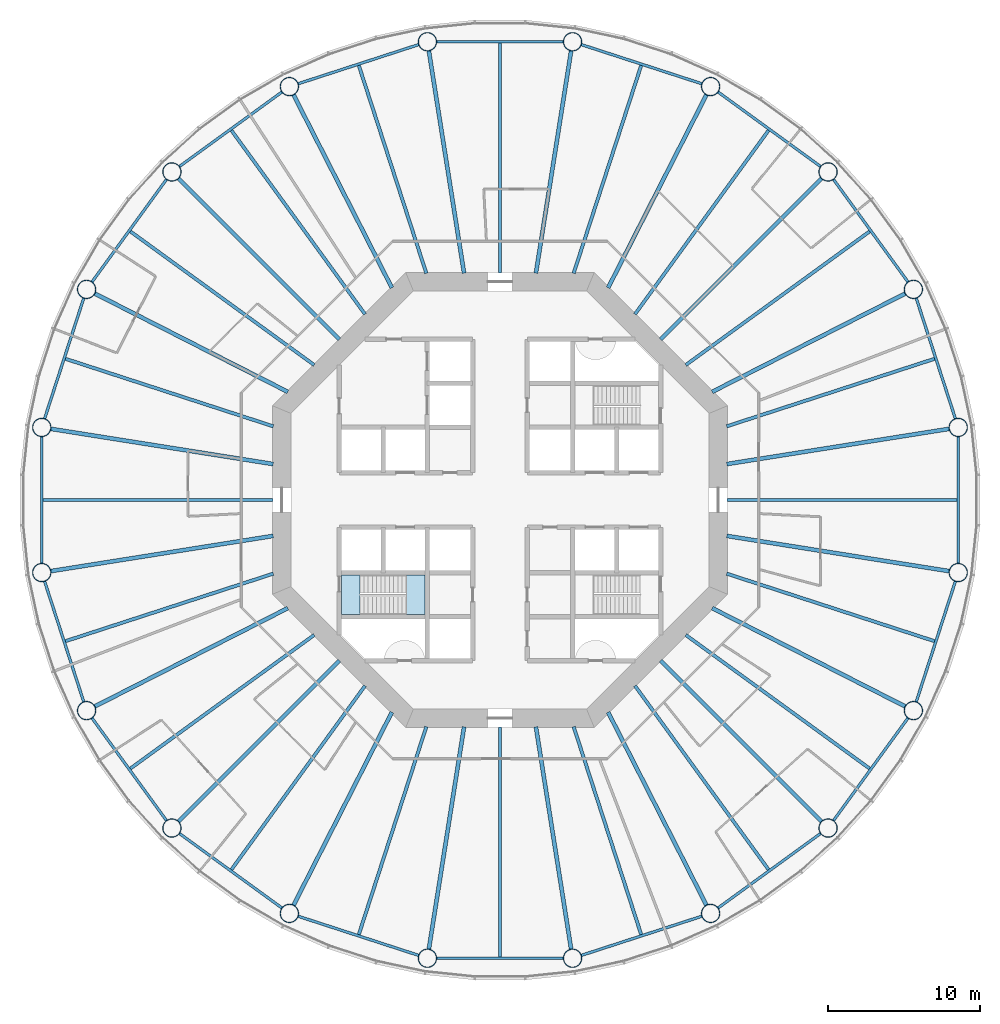
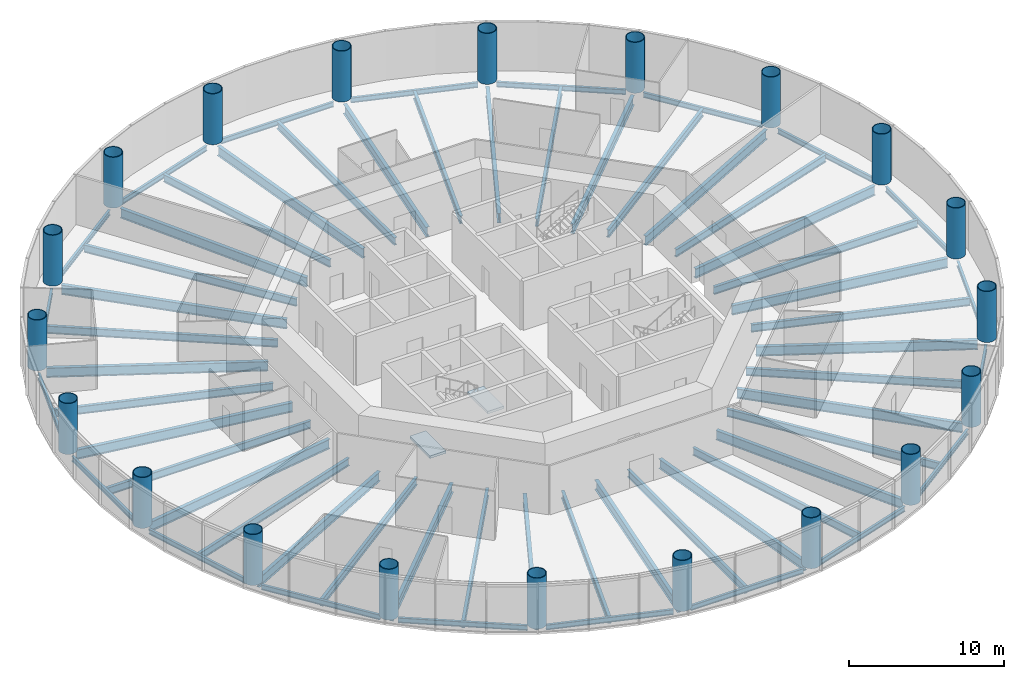
# One storey, part 1 of 13: 60 beams, 20 columns, 2 slabs, 1 element without a shape of its own.
"""IFC4 building model written with IfcOpenShell, lengths in metres."""

from ifc_helpers import new_model, si_unit, direction, frame, origin, origin_2d, place, context, subcontext, project, spatial, polyline, circle, hollow_circle, i_section, outline, extrude, material, layer, layer_set, material_profile, profile_set, type_object, element, aggregate, save


model = new_model("IFC4")

# Units and contexts
model_context = context("Model", 3, precision=1e-05, world=origin(), true_north=direction((0.0, 1.0)))
body_context = subcontext(model_context, "Body", "Model", "MODEL_VIEW")
ifc_project = project(units=[si_unit("LENGTHUNIT", "METRE"), si_unit("AREAUNIT", "SQUARE_METRE"), si_unit("VOLUMEUNIT", "CUBIC_METRE"), si_unit("PLANEANGLEUNIT", "RADIAN"), si_unit("MASSUNIT", "GRAM", prefix="KILO")], contexts=[model_context])

# Site, building, storey
site_placement = place(None, origin())
site = spatial("IfcSite", under=ifc_project, at=site_placement, CompositionType="ELEMENT")
building_placement = place(site_placement, origin())
building = spatial("IfcBuilding", under=site, at=building_placement, Name="Entoto Ring Tower", CompositionType="ELEMENT")
storey_placement = place(building_placement, frame((0.0, 0.0, 104.0)))
storey = spatial("IfcBuildingStorey", under=building, at=storey_placement, Name="L23", CompositionType="ELEMENT", Elevation=104.0)

# Columns
ifc_material_1 = material(Name="Steel S355", Category="steel")
ifc_material_profile_1 = material_profile(ifc_material_1, hollow_circle(Radius=0.625, WallThickness=0.054931640625, at=origin_2d()), Name="CHS 1250 x 55")
ifc_material_2 = material(Name="Concrete C60/75", Category="concrete")
ifc_material_profile_2 = material_profile(ifc_material_2, circle(Radius=0.570068359375, at=origin_2d()), Name="Concrete C60/75 infill")
ifc_profile_set_1 = profile_set([ifc_material_profile_1, ifc_material_profile_2], Name="Steel S355")
column_type = type_object("IfcColumnType", Name="Ring column 1250 x 55 concrete-filled tube", PredefinedType="COLUMN", material=ifc_profile_set_1)
for number, where, z_axis, x_axis, name in (
    (1, (120.22314453125, 84.786865234375, 0.0), (0.0, 0.0, 1.0), (1.0, 0.0, 0.0), "RC2 R01"),
    (2, (117.264892578125, 93.89208984375, 0.0), (0.0, 0.0, 1.0), (1.0, 0.0, 0.0), "RC2 R02"),
    (3, (111.637451171875, 101.637451171875, 0.0), (0.0, 0.0, 1.0), (1.0, 0.0, 0.0), "RC2 R03"),
    (4, (103.89208984375, 107.264892578125, 0.0), (0.0, 0.0, 1.0), (1.0, 0.0, 0.0), "RC2 R04"),
    (5, (94.786865234375, 110.22314453125, 0.0), (0.0, 0.0, 1.0), (1.0, 0.0, 0.0), "RC2 R05"),
    (6, (85.213134765625, 110.22314453125, 0.0), (0.0, 0.0, 1.0), (1.0, 0.0, 0.0), "RC2 R06"),
    (7, (76.10791015625, 107.264892578125, 0.0), (0.0, 0.0, 1.0), (1.0, 0.0, 0.0), "RC2 R07"),
    (8, (68.362548828125, 101.637451171875, 0.0), (0.0, 0.0, 1.0), (1.0, 0.0, 0.0), "RC2 R08"),
    (9, (62.735107421875, 93.89208984375, 0.0), (0.0, 0.0, 1.0), (1.0, 0.0, 0.0), "RC2 R09"),
    (10, (59.77685546875, 84.786865234375, 0.0), (0.0, 0.0, 1.0), (1.0, 0.0, 0.0), "RC2 R10"),
    (11, (59.77685546875, 75.213134765625, 0.0), (0.0, 0.0, 1.0), (1.0, 0.0, 0.0), "RC2 R11"),
    (12, (62.735107421875, 66.10791015625, 0.0), (0.0, 0.0, 1.0), (1.0, 0.0, 0.0), "RC2 R12"),
    (13, (68.362548828125, 58.362548828125, 0.0), (0.0, 0.0, 1.0), (1.0, 0.0, 0.0), "RC2 R13"),
    (14, (76.10791015625, 52.735107421875, 0.0), (0.0, 0.0, 1.0), (1.0, 0.0, 0.0), "RC2 R14"),
    (15, (85.213134765625, 49.77685546875, 0.0), (0.0, 0.0, 1.0), (1.0, 0.0, 0.0), "RC2 R15"),
    (16, (94.786865234375, 49.77685546875, 0.0), (0.0, 0.0, 1.0), (1.0, 0.0, 0.0), "RC2 R16"),
    (17, (103.89208984375, 52.735107421875, 0.0), (0.0, 0.0, 1.0), (1.0, 0.0, 0.0), "RC2 R17"),
    (18, (111.637451171875, 58.362548828125, 0.0), (0.0, 0.0, 1.0), (1.0, 0.0, 0.0), "RC2 R18"),
    (19, (117.264892578125, 66.10791015625, 0.0), (0.0, 0.0, 1.0), (1.0, 0.0, 0.0), "RC2 R19"),
    (20, (120.22314453125, 75.213134765625, 0.0), (0.0, 0.0, 1.0), (1.0, 0.0, 0.0), "RC2 R20"),
):
    element("IfcColumn", number, at=place(storey_placement, frame(where, z_axis=z_axis, x_axis=x_axis)), inside=storey, type_object=column_type, Name=name, PredefinedType="COLUMN", context=body_context, shape_type="SweptSolid", body=[
        extrude(hollow_circle(Radius=0.625, WallThickness=0.054931640625, at=origin_2d()), origin(), (0.0, 0.0, 1.0), 4.0),
    ])

# Beams
ifc_material_3 = material(Name="Steel S355", Category="steel")
ifc_material_profile_3 = material_profile(ifc_material_3, i_section(OverallWidth=0.179931640625, OverallDepth=0.39990234375, WebThickness=0.008544921875, FlangeThickness=0.013427734375, FilletRadius=0.02099609375, at=origin_2d()), Name="IPE 400")
ifc_profile_set_2 = profile_set([ifc_material_profile_3], Name="Steel S355")
beam_type_1 = type_object("IfcBeamType", Name="Edge beam IPE 400", PredefinedType="SPANDREL", material=ifc_profile_set_2)
for number, where, z_axis, x_axis, name in (
    (21, (120.038330078125, 85.35595703125, -0.35009765625), (-0.309014241039, 0.951057410904, 0.0), (-0.951057410904, -0.309014241039, 0.0), "Edge beam L23 01"),
    (22, (116.9130859375, 94.376220703125, -0.35009765625), (-0.587783458554, 0.8090182976, 0.0), (-0.8090182976, -0.587783458554, 0.0), "Edge beam L23 02"),
    (23, (111.1533203125, 101.9892578125, -0.35009765625), (-0.8090182976, 0.587783458554, 0.0), (-0.587783458554, -0.8090182976, 0.0), "Edge beam L23 03"),
    (24, (103.322998046875, 107.44970703125, -0.35009765625), (-0.951057410904, 0.309014241039, 0.0), (-0.309014241039, -0.951057410904, 0.0), "Edge beam L23 04"),
    (25, (94.1884765625, 110.22314453125, -0.35009765625), (-1.0, 0.0, 0.0), (0.0, -1.0, 0.0), "Edge beam L23 05"),
    (26, (84.64404296875, 110.038330078125, -0.35009765625), (-0.951057410904, -0.309014241039, 0.0), (0.309014241039, -0.951057410904, 0.0), "Edge beam L23 06"),
    (27, (75.623779296875, 106.9130859375, -0.35009765625), (-0.8090182976, -0.587783458554, 0.0), (0.587783458554, -0.8090182976, 0.0), "Edge beam L23 07"),
    (28, (68.0107421875, 101.1533203125, -0.35009765625), (-0.587783458554, -0.8090182976, 0.0), (0.8090182976, -0.587783458554, 0.0), "Edge beam L23 08"),
    (29, (62.55029296875, 93.322998046875, -0.35009765625), (-0.309014241039, -0.951057410904, 0.0), (0.951057410904, -0.309014241039, 0.0), "Edge beam L23 09"),
    (30, (59.77685546875, 84.1884765625, -0.35009765625), (0.0, -1.0, 0.0), (1.0, 0.0, 0.0), "Edge beam L23 10"),
    (31, (59.961669921875, 74.64404296875, -0.35009765625), (0.309014241039, -0.951057410904, 0.0), (0.951057410904, 0.309014241039, 0.0), "Edge beam L23 11"),
    (32, (63.0869140625, 65.623779296875, -0.35009765625), (0.587783458554, -0.8090182976, 0.0), (0.8090182976, 0.587783458554, 0.0), "Edge beam L23 12"),
    (33, (68.8466796875, 58.0107421875, -0.35009765625), (0.8090182976, -0.587783458554, 0.0), (0.587783458554, 0.8090182976, 0.0), "Edge beam L23 13"),
    (34, (76.677001953125, 52.55029296875, -0.35009765625), (0.951057410904, -0.309014241039, 0.0), (0.309014241039, 0.951057410904, 0.0), "Edge beam L23 14"),
    (35, (85.8115234375, 49.77685546875, -0.35009765625), (1.0, 0.0, 0.0), (0.0, 1.0, 0.0), "Edge beam L23 15"),
    (36, (95.35595703125, 49.961669921875, -0.35009765625), (0.951057410904, 0.309014241039, 0.0), (-0.309014241039, 0.951057410904, 0.0), "Edge beam L23 16"),
    (37, (104.376220703125, 53.0869140625, -0.35009765625), (0.8090182976, 0.587783458554, 0.0), (-0.587783458554, 0.8090182976, 0.0), "Edge beam L23 17"),
    (38, (111.9892578125, 58.8466796875, -0.35009765625), (0.587783458554, 0.8090182976, 0.0), (-0.8090182976, 0.587783458554, 0.0), "Edge beam L23 18"),
    (39, (117.44970703125, 66.677001953125, -0.35009765625), (0.309014241039, 0.951057410904, 0.0), (-0.951057410904, 0.309014241039, 0.0), "Edge beam L23 19"),
    (40, (120.22314453125, 75.8115234375, -0.35009765625), (0.0, 1.0, 0.0), (-1.0, 0.0, 0.0), "Edge beam L23 20"),
):
    element("IfcBeam", number, at=place(storey_placement, frame(where, z_axis=z_axis, x_axis=x_axis)), inside=storey, type_object=beam_type_1, Name=name, PredefinedType="SPANDREL", context=body_context, shape_type="SweptSolid", body=[
        extrude(i_section(OverallWidth=0.179931640625, OverallDepth=0.39990234375, WebThickness=0.008544921875, FlangeThickness=0.013427734375, FilletRadius=0.02099609375, at=origin_2d()), origin(), (0.0, 0.0, 1.0), 8.376953125),
    ])
ifc_material_4 = material(Name="Steel S355", Category="steel")
ifc_material_profile_4 = material_profile(ifc_material_4, i_section(OverallWidth=0.262939453125, OverallDepth=0.7529296875, WebThickness=0.011474609375, FlangeThickness=0.01708984375, FilletRadius=0.01708984375, at=origin_2d()), Name="IPE 750 x 137")
ifc_profile_set_3 = profile_set([ifc_material_profile_4], Name="Steel S355")
beam_type_2 = type_object("IfcBeamType", Name="Primary floor beam IPE 750 x 137", PredefinedType="BEAM", material=ifc_profile_set_3)
beam_1_placement = place(storey_placement, frame((104.959716796875, 82.369384765625, -0.526611328125), z_axis=(0.98768960451, 0.156426484787, 0.0), x_axis=(-0.156426484787, 0.98768960451, 0.0)))
element("IfcBeam", 41, at=beam_1_placement, inside=storey, type_object=beam_type_2, Name="Primary L23 R01", PredefinedType="BEAM", context=body_context, shape_type="SweptSolid", body=[
    extrude(i_section(OverallWidth=0.262939453125, OverallDepth=0.7529296875, WebThickness=0.011474609375, FlangeThickness=0.01708984375, FilletRadius=0.01708984375, at=origin_2d()), origin(), (0.0, 0.0, 1.0), 14.86279296875),
])
beam_2_placement = place(storey_placement, frame((103.9970703125, 87.1318359375, -0.526611328125), z_axis=(0.891007312585, 0.453988952421, 0.0), x_axis=(-0.453988952421, 0.891007312585, 0.0)))
element("IfcBeam", 42, at=beam_2_placement, inside=storey, type_object=beam_type_2, Name="Primary L23 R02", PredefinedType="BEAM", context=body_context, shape_type="SweptSolid", body=[
    extrude(i_section(OverallWidth=0.262939453125, OverallDepth=0.7529296875, WebThickness=0.011474609375, FlangeThickness=0.01708984375, FilletRadius=0.01708984375, at=origin_2d()), origin(), (0.0, 0.0, 1.0), 14.2998046875),
])
beam_3_placement = place(storey_placement, frame((100.592529296875, 90.592529296875, -0.526611328125), z_axis=(0.707106781187, 0.707106781187, 0.0), x_axis=(-0.707106781187, 0.707106781187, 0.0)))
element("IfcBeam", 43, at=beam_3_placement, inside=storey, type_object=beam_type_2, Name="Primary L23 R03", PredefinedType="BEAM", context=body_context, shape_type="SweptSolid", body=[
    extrude(i_section(OverallWidth=0.262939453125, OverallDepth=0.7529296875, WebThickness=0.011474609375, FlangeThickness=0.01708984375, FilletRadius=0.01708984375, at=origin_2d()), origin(), (0.0, 0.0, 1.0), 15.029052734375),
])
beam_4_placement = place(storey_placement, frame((97.1318359375, 93.9970703125, -0.526611328125), z_axis=(0.453988952421, 0.891007312585, 0.0), x_axis=(-0.891007312585, 0.453988952421, 0.0)))
element("IfcBeam", 44, at=beam_4_placement, inside=storey, type_object=beam_type_2, Name="Primary L23 R04", PredefinedType="BEAM", context=body_context, shape_type="SweptSolid", body=[
    extrude(i_section(OverallWidth=0.262939453125, OverallDepth=0.7529296875, WebThickness=0.011474609375, FlangeThickness=0.01708984375, FilletRadius=0.01708984375, at=origin_2d()), origin(), (0.0, 0.0, 1.0), 14.2998046875),
])
for number, where, z_axis, x_axis, name in (
    (45, (92.369384765625, 94.959716796875, -0.526611328125), (0.156426484787, 0.98768960451, 0.0), (-0.98768960451, 0.156426484787, 0.0), "Primary L23 R05"),
    (46, (87.630615234375, 94.959716796875, -0.526611328125), (-0.156426484787, 0.98768960451, 0.0), (-0.98768960451, -0.156426484787, 0.0), "Primary L23 R06"),
):
    element("IfcBeam", number, at=place(storey_placement, frame(where, z_axis=z_axis, x_axis=x_axis)), inside=storey, type_object=beam_type_2, Name=name, PredefinedType="BEAM", context=body_context, shape_type="SweptSolid", body=[
        extrude(i_section(OverallWidth=0.262939453125, OverallDepth=0.7529296875, WebThickness=0.011474609375, FlangeThickness=0.01708984375, FilletRadius=0.01708984375, at=origin_2d()), origin(), (0.0, 0.0, 1.0), 14.86279296875),
    ])
beam_5_placement = place(storey_placement, frame((82.8681640625, 93.9970703125, -0.526611328125), z_axis=(-0.453988952421, 0.891007312585, 0.0), x_axis=(-0.891007312585, -0.453988952421, 0.0)))
element("IfcBeam", 47, at=beam_5_placement, inside=storey, type_object=beam_type_2, Name="Primary L23 R07", PredefinedType="BEAM", context=body_context, shape_type="SweptSolid", body=[
    extrude(i_section(OverallWidth=0.262939453125, OverallDepth=0.7529296875, WebThickness=0.011474609375, FlangeThickness=0.01708984375, FilletRadius=0.01708984375, at=origin_2d()), origin(), (0.0, 0.0, 1.0), 14.2998046875),
])
beam_6_placement = place(storey_placement, frame((79.407470703125, 90.592529296875, -0.526611328125), z_axis=(-0.707106781187, 0.707106781187, 0.0), x_axis=(-0.707106781187, -0.707106781187, 0.0)))
element("IfcBeam", 48, at=beam_6_placement, inside=storey, type_object=beam_type_2, Name="Primary L23 R08", PredefinedType="BEAM", context=body_context, shape_type="SweptSolid", body=[
    extrude(i_section(OverallWidth=0.262939453125, OverallDepth=0.7529296875, WebThickness=0.011474609375, FlangeThickness=0.01708984375, FilletRadius=0.01708984375, at=origin_2d()), origin(), (0.0, 0.0, 1.0), 15.029052734375),
])
beam_7_placement = place(storey_placement, frame((76.0029296875, 87.1318359375, -0.526611328125), z_axis=(-0.891007312585, 0.453988952421, 0.0), x_axis=(-0.453988952421, -0.891007312585, 0.0)))
element("IfcBeam", 49, at=beam_7_placement, inside=storey, type_object=beam_type_2, Name="Primary L23 R09", PredefinedType="BEAM", context=body_context, shape_type="SweptSolid", body=[
    extrude(i_section(OverallWidth=0.262939453125, OverallDepth=0.7529296875, WebThickness=0.011474609375, FlangeThickness=0.01708984375, FilletRadius=0.01708984375, at=origin_2d()), origin(), (0.0, 0.0, 1.0), 14.2998046875),
])
for number, where, z_axis, x_axis, name in (
    (50, (75.040283203125, 82.369384765625, -0.526611328125), (-0.98768960451, 0.156426484787, 0.0), (-0.156426484787, -0.98768960451, 0.0), "Primary L23 R10"),
    (51, (75.040283203125, 77.630615234375, -0.526611328125), (-0.98768960451, -0.156426484787, 0.0), (0.156426484787, -0.98768960451, 0.0), "Primary L23 R11"),
):
    element("IfcBeam", number, at=place(storey_placement, frame(where, z_axis=z_axis, x_axis=x_axis)), inside=storey, type_object=beam_type_2, Name=name, PredefinedType="BEAM", context=body_context, shape_type="SweptSolid", body=[
        extrude(i_section(OverallWidth=0.262939453125, OverallDepth=0.7529296875, WebThickness=0.011474609375, FlangeThickness=0.01708984375, FilletRadius=0.01708984375, at=origin_2d()), origin(), (0.0, 0.0, 1.0), 14.86279296875),
    ])
beam_8_placement = place(storey_placement, frame((76.0029296875, 72.8681640625, -0.526611328125), z_axis=(-0.891007312585, -0.453988952421, 0.0), x_axis=(0.453988952421, -0.891007312585, 0.0)))
element("IfcBeam", 52, at=beam_8_placement, inside=storey, type_object=beam_type_2, Name="Primary L23 R12", PredefinedType="BEAM", context=body_context, shape_type="SweptSolid", body=[
    extrude(i_section(OverallWidth=0.262939453125, OverallDepth=0.7529296875, WebThickness=0.011474609375, FlangeThickness=0.01708984375, FilletRadius=0.01708984375, at=origin_2d()), origin(), (0.0, 0.0, 1.0), 14.2998046875),
])
beam_9_placement = place(storey_placement, frame((79.407470703125, 69.407470703125, -0.526611328125), z_axis=(-0.707106781187, -0.707106781187, 0.0), x_axis=(0.707106781187, -0.707106781187, 0.0)))
element("IfcBeam", 53, at=beam_9_placement, inside=storey, type_object=beam_type_2, Name="Primary L23 R13", PredefinedType="BEAM", context=body_context, shape_type="SweptSolid", body=[
    extrude(i_section(OverallWidth=0.262939453125, OverallDepth=0.7529296875, WebThickness=0.011474609375, FlangeThickness=0.01708984375, FilletRadius=0.01708984375, at=origin_2d()), origin(), (0.0, 0.0, 1.0), 15.029052734375),
])
beam_10_placement = place(storey_placement, frame((82.8681640625, 66.0029296875, -0.526611328125), z_axis=(-0.453988952421, -0.891007312585, 0.0), x_axis=(0.891007312585, -0.453988952421, 0.0)))
element("IfcBeam", 54, at=beam_10_placement, inside=storey, type_object=beam_type_2, Name="Primary L23 R14", PredefinedType="BEAM", context=body_context, shape_type="SweptSolid", body=[
    extrude(i_section(OverallWidth=0.262939453125, OverallDepth=0.7529296875, WebThickness=0.011474609375, FlangeThickness=0.01708984375, FilletRadius=0.01708984375, at=origin_2d()), origin(), (0.0, 0.0, 1.0), 14.2998046875),
])
for number, where, z_axis, x_axis, name in (
    (55, (87.630615234375, 65.040283203125, -0.526611328125), (-0.156426484787, -0.98768960451, 0.0), (0.98768960451, -0.156426484787, 0.0), "Primary L23 R15"),
    (56, (92.369384765625, 65.040283203125, -0.526611328125), (0.156426484787, -0.98768960451, 0.0), (0.98768960451, 0.156426484787, 0.0), "Primary L23 R16"),
):
    element("IfcBeam", number, at=place(storey_placement, frame(where, z_axis=z_axis, x_axis=x_axis)), inside=storey, type_object=beam_type_2, Name=name, PredefinedType="BEAM", context=body_context, shape_type="SweptSolid", body=[
        extrude(i_section(OverallWidth=0.262939453125, OverallDepth=0.7529296875, WebThickness=0.011474609375, FlangeThickness=0.01708984375, FilletRadius=0.01708984375, at=origin_2d()), origin(), (0.0, 0.0, 1.0), 14.86279296875),
    ])
beam_11_placement = place(storey_placement, frame((97.1318359375, 66.0029296875, -0.526611328125), z_axis=(0.453988952421, -0.891007312585, 0.0), x_axis=(0.891007312585, 0.453988952421, 0.0)))
element("IfcBeam", 57, at=beam_11_placement, inside=storey, type_object=beam_type_2, Name="Primary L23 R17", PredefinedType="BEAM", context=body_context, shape_type="SweptSolid", body=[
    extrude(i_section(OverallWidth=0.262939453125, OverallDepth=0.7529296875, WebThickness=0.011474609375, FlangeThickness=0.01708984375, FilletRadius=0.01708984375, at=origin_2d()), origin(), (0.0, 0.0, 1.0), 14.2998046875),
])
beam_12_placement = place(storey_placement, frame((100.592529296875, 69.407470703125, -0.526611328125), z_axis=(0.707106781187, -0.707106781187, 0.0), x_axis=(0.707106781187, 0.707106781187, 0.0)))
element("IfcBeam", 58, at=beam_12_placement, inside=storey, type_object=beam_type_2, Name="Primary L23 R18", PredefinedType="BEAM", context=body_context, shape_type="SweptSolid", body=[
    extrude(i_section(OverallWidth=0.262939453125, OverallDepth=0.7529296875, WebThickness=0.011474609375, FlangeThickness=0.01708984375, FilletRadius=0.01708984375, at=origin_2d()), origin(), (0.0, 0.0, 1.0), 15.029052734375),
])
beam_13_placement = place(storey_placement, frame((103.9970703125, 72.8681640625, -0.526611328125), z_axis=(0.891007312585, -0.453988952421, 0.0), x_axis=(0.453988952421, 0.891007312585, 0.0)))
element("IfcBeam", 59, at=beam_13_placement, inside=storey, type_object=beam_type_2, Name="Primary L23 R19", PredefinedType="BEAM", context=body_context, shape_type="SweptSolid", body=[
    extrude(i_section(OverallWidth=0.262939453125, OverallDepth=0.7529296875, WebThickness=0.011474609375, FlangeThickness=0.01708984375, FilletRadius=0.01708984375, at=origin_2d()), origin(), (0.0, 0.0, 1.0), 14.2998046875),
])
beam_14_placement = place(storey_placement, frame((104.959716796875, 77.630615234375, -0.526611328125), z_axis=(0.98768960451, -0.156426484787, 0.0), x_axis=(0.156426484787, 0.98768960451, 0.0)))
element("IfcBeam", 60, at=beam_14_placement, inside=storey, type_object=beam_type_2, Name="Primary L23 R20", PredefinedType="BEAM", context=body_context, shape_type="SweptSolid", body=[
    extrude(i_section(OverallWidth=0.262939453125, OverallDepth=0.7529296875, WebThickness=0.011474609375, FlangeThickness=0.01708984375, FilletRadius=0.01708984375, at=origin_2d()), origin(), (0.0, 0.0, 1.0), 14.86279296875),
])
ifc_material_5 = material(Name="Steel S355", Category="steel")
ifc_material_profile_5 = material_profile(ifc_material_5, i_section(OverallWidth=0.219970703125, OverallDepth=0.60009765625, WebThickness=0.011962890625, FlangeThickness=0.01904296875, FilletRadius=0.02392578125, at=origin_2d()), Name="IPE 600")
ifc_profile_set_4 = profile_set([ifc_material_profile_5], Name="Steel S355")
beam_type_3 = type_object("IfcBeamType", Name="Secondary floor beam IPE 600", PredefinedType="JOIST", material=ifc_profile_set_4)
beam_15_placement = place(storey_placement, frame((104.947021484375, 84.856689453125, -0.449951171875), z_axis=(0.951057212949, 0.309014850288, 0.0), x_axis=(-0.309014850288, 0.951057212949, 0.0)))
element("IfcBeam", 61, at=beam_15_placement, inside=storey, type_object=beam_type_3, Name="Secondary beam L23 01", PredefinedType="JOIST", context=body_context, shape_type="SweptSolid", body=[
    extrude(i_section(OverallWidth=0.219970703125, OverallDepth=0.60009765625, WebThickness=0.011962890625, FlangeThickness=0.01904296875, FilletRadius=0.02392578125, at=origin_2d()), origin(), (0.0, 0.0, 1.0), 14.4169921875),
])
for number, where, z_axis, x_axis, name in (
    (62, (102.25634765625, 88.90478515625, -0.449951171875), (0.809019238239, 0.587782163866, 0.0), (-0.587782163866, 0.809019238239, 0.0), "Secondary beam L23 02"),
    (63, (98.90478515625, 92.25634765625, -0.449951171875), (0.587782163866, 0.809019238239, 0.0), (-0.809019238239, 0.587782163866, 0.0), "Secondary beam L23 03"),
):
    element("IfcBeam", number, at=place(storey_placement, frame(where, z_axis=z_axis, x_axis=x_axis)), inside=storey, type_object=beam_type_3, Name=name, PredefinedType="JOIST", context=body_context, shape_type="SweptSolid", body=[
        extrude(i_section(OverallWidth=0.219970703125, OverallDepth=0.60009765625, WebThickness=0.011962890625, FlangeThickness=0.01904296875, FilletRadius=0.02392578125, at=origin_2d()), origin(), (0.0, 0.0, 1.0), 14.983642578125),
    ])
beam_16_placement = place(storey_placement, frame((94.856689453125, 94.947021484375, -0.449951171875), z_axis=(0.309014850288, 0.951057212949, 0.0), x_axis=(-0.951057212949, 0.309014850288, 0.0)))
element("IfcBeam", 64, at=beam_16_placement, inside=storey, type_object=beam_type_3, Name="Secondary beam L23 04", PredefinedType="JOIST", context=body_context, shape_type="SweptSolid", body=[
    extrude(i_section(OverallWidth=0.219970703125, OverallDepth=0.60009765625, WebThickness=0.011962890625, FlangeThickness=0.01904296875, FilletRadius=0.02392578125, at=origin_2d()), origin(), (0.0, 0.0, 1.0), 14.4169921875),
])
beam_17_placement = place(storey_placement, frame((90.0, 94.97998046875, -0.449951171875), z_axis=(0.0, 1.0, 0.0), x_axis=(-1.0, 0.0, 0.0)))
element("IfcBeam", 65, at=beam_17_placement, inside=storey, type_object=beam_type_3, Name="Secondary beam L23 05", PredefinedType="JOIST", context=body_context, shape_type="SweptSolid", body=[
    extrude(i_section(OverallWidth=0.219970703125, OverallDepth=0.60009765625, WebThickness=0.011962890625, FlangeThickness=0.01904296875, FilletRadius=0.02392578125, at=origin_2d()), origin(), (0.0, 0.0, 1.0), 15.1533203125),
])
beam_18_placement = place(storey_placement, frame((85.143310546875, 94.947021484375, -0.449951171875), z_axis=(-0.309014850288, 0.951057212949, 0.0), x_axis=(-0.951057212949, -0.309014850288, 0.0)))
element("IfcBeam", 66, at=beam_18_placement, inside=storey, type_object=beam_type_3, Name="Secondary beam L23 06", PredefinedType="JOIST", context=body_context, shape_type="SweptSolid", body=[
    extrude(i_section(OverallWidth=0.219970703125, OverallDepth=0.60009765625, WebThickness=0.011962890625, FlangeThickness=0.01904296875, FilletRadius=0.02392578125, at=origin_2d()), origin(), (0.0, 0.0, 1.0), 14.4169921875),
])
for number, where, z_axis, x_axis, name in (
    (67, (81.09521484375, 92.25634765625, -0.449951171875), (-0.587782163866, 0.809019238239, 0.0), (-0.809019238239, -0.587782163866, 0.0), "Secondary beam L23 07"),
    (68, (77.74365234375, 88.90478515625, -0.449951171875), (-0.809019238239, 0.587782163866, 0.0), (-0.587782163866, -0.809019238239, 0.0), "Secondary beam L23 08"),
):
    element("IfcBeam", number, at=place(storey_placement, frame(where, z_axis=z_axis, x_axis=x_axis)), inside=storey, type_object=beam_type_3, Name=name, PredefinedType="JOIST", context=body_context, shape_type="SweptSolid", body=[
        extrude(i_section(OverallWidth=0.219970703125, OverallDepth=0.60009765625, WebThickness=0.011962890625, FlangeThickness=0.01904296875, FilletRadius=0.02392578125, at=origin_2d()), origin(), (0.0, 0.0, 1.0), 14.983642578125),
    ])
beam_19_placement = place(storey_placement, frame((75.052978515625, 84.856689453125, -0.449951171875), z_axis=(-0.951057212949, 0.309014850288, 0.0), x_axis=(-0.309014850288, -0.951057212949, 0.0)))
element("IfcBeam", 69, at=beam_19_placement, inside=storey, type_object=beam_type_3, Name="Secondary beam L23 09", PredefinedType="JOIST", context=body_context, shape_type="SweptSolid", body=[
    extrude(i_section(OverallWidth=0.219970703125, OverallDepth=0.60009765625, WebThickness=0.011962890625, FlangeThickness=0.01904296875, FilletRadius=0.02392578125, at=origin_2d()), origin(), (0.0, 0.0, 1.0), 14.4169921875),
])
beam_20_placement = place(storey_placement, frame((75.02001953125, 80.0, -0.449951171875), z_axis=(-1.0, 0.0, 0.0), x_axis=(0.0, -1.0, 0.0)))
element("IfcBeam", 70, at=beam_20_placement, inside=storey, type_object=beam_type_3, Name="Secondary beam L23 10", PredefinedType="JOIST", context=body_context, shape_type="SweptSolid", body=[
    extrude(i_section(OverallWidth=0.219970703125, OverallDepth=0.60009765625, WebThickness=0.011962890625, FlangeThickness=0.01904296875, FilletRadius=0.02392578125, at=origin_2d()), origin(), (0.0, 0.0, 1.0), 15.1533203125),
])
beam_21_placement = place(storey_placement, frame((75.052978515625, 75.143310546875, -0.449951171875), z_axis=(-0.951057212949, -0.309014850288, 0.0), x_axis=(0.309014850288, -0.951057212949, 0.0)))
element("IfcBeam", 71, at=beam_21_placement, inside=storey, type_object=beam_type_3, Name="Secondary beam L23 11", PredefinedType="JOIST", context=body_context, shape_type="SweptSolid", body=[
    extrude(i_section(OverallWidth=0.219970703125, OverallDepth=0.60009765625, WebThickness=0.011962890625, FlangeThickness=0.01904296875, FilletRadius=0.02392578125, at=origin_2d()), origin(), (0.0, 0.0, 1.0), 14.4169921875),
])
for number, where, z_axis, x_axis, name in (
    (72, (77.74365234375, 71.09521484375, -0.449951171875), (-0.809019238239, -0.587782163866, 0.0), (0.587782163866, -0.809019238239, 0.0), "Secondary beam L23 12"),
    (73, (81.09521484375, 67.74365234375, -0.449951171875), (-0.587782163866, -0.809019238239, 0.0), (0.809019238239, -0.587782163866, 0.0), "Secondary beam L23 13"),
):
    element("IfcBeam", number, at=place(storey_placement, frame(where, z_axis=z_axis, x_axis=x_axis)), inside=storey, type_object=beam_type_3, Name=name, PredefinedType="JOIST", context=body_context, shape_type="SweptSolid", body=[
        extrude(i_section(OverallWidth=0.219970703125, OverallDepth=0.60009765625, WebThickness=0.011962890625, FlangeThickness=0.01904296875, FilletRadius=0.02392578125, at=origin_2d()), origin(), (0.0, 0.0, 1.0), 14.983642578125),
    ])
beam_22_placement = place(storey_placement, frame((85.143310546875, 65.052978515625, -0.449951171875), z_axis=(-0.309014850288, -0.951057212949, 0.0), x_axis=(0.951057212949, -0.309014850288, 0.0)))
element("IfcBeam", 74, at=beam_22_placement, inside=storey, type_object=beam_type_3, Name="Secondary beam L23 14", PredefinedType="JOIST", context=body_context, shape_type="SweptSolid", body=[
    extrude(i_section(OverallWidth=0.219970703125, OverallDepth=0.60009765625, WebThickness=0.011962890625, FlangeThickness=0.01904296875, FilletRadius=0.02392578125, at=origin_2d()), origin(), (0.0, 0.0, 1.0), 14.4169921875),
])
beam_23_placement = place(storey_placement, frame((90.0, 65.02001953125, -0.449951171875), z_axis=(0.0, -1.0, 0.0), x_axis=(1.0, 0.0, 0.0)))
element("IfcBeam", 75, at=beam_23_placement, inside=storey, type_object=beam_type_3, Name="Secondary beam L23 15", PredefinedType="JOIST", context=body_context, shape_type="SweptSolid", body=[
    extrude(i_section(OverallWidth=0.219970703125, OverallDepth=0.60009765625, WebThickness=0.011962890625, FlangeThickness=0.01904296875, FilletRadius=0.02392578125, at=origin_2d()), origin(), (0.0, 0.0, 1.0), 15.1533203125),
])
beam_24_placement = place(storey_placement, frame((94.856689453125, 65.052978515625, -0.449951171875), z_axis=(0.309014850288, -0.951057212949, 0.0), x_axis=(0.951057212949, 0.309014850288, 0.0)))
element("IfcBeam", 76, at=beam_24_placement, inside=storey, type_object=beam_type_3, Name="Secondary beam L23 16", PredefinedType="JOIST", context=body_context, shape_type="SweptSolid", body=[
    extrude(i_section(OverallWidth=0.219970703125, OverallDepth=0.60009765625, WebThickness=0.011962890625, FlangeThickness=0.01904296875, FilletRadius=0.02392578125, at=origin_2d()), origin(), (0.0, 0.0, 1.0), 14.4169921875),
])
for number, where, z_axis, x_axis, name in (
    (77, (98.90478515625, 67.74365234375, -0.449951171875), (0.587782163866, -0.809019238239, 0.0), (0.809019238239, 0.587782163866, 0.0), "Secondary beam L23 17"),
    (78, (102.25634765625, 71.09521484375, -0.449951171875), (0.809019238239, -0.587782163866, 0.0), (0.587782163866, 0.809019238239, 0.0), "Secondary beam L23 18"),
):
    element("IfcBeam", number, at=place(storey_placement, frame(where, z_axis=z_axis, x_axis=x_axis)), inside=storey, type_object=beam_type_3, Name=name, PredefinedType="JOIST", context=body_context, shape_type="SweptSolid", body=[
        extrude(i_section(OverallWidth=0.219970703125, OverallDepth=0.60009765625, WebThickness=0.011962890625, FlangeThickness=0.01904296875, FilletRadius=0.02392578125, at=origin_2d()), origin(), (0.0, 0.0, 1.0), 14.983642578125),
    ])
beam_25_placement = place(storey_placement, frame((104.947021484375, 75.143310546875, -0.449951171875), z_axis=(0.951057212949, -0.309014850288, 0.0), x_axis=(0.309014850288, 0.951057212949, 0.0)))
element("IfcBeam", 79, at=beam_25_placement, inside=storey, type_object=beam_type_3, Name="Secondary beam L23 19", PredefinedType="JOIST", context=body_context, shape_type="SweptSolid", body=[
    extrude(i_section(OverallWidth=0.219970703125, OverallDepth=0.60009765625, WebThickness=0.011962890625, FlangeThickness=0.01904296875, FilletRadius=0.02392578125, at=origin_2d()), origin(), (0.0, 0.0, 1.0), 14.4169921875),
])
beam_26_placement = place(storey_placement, frame((104.97998046875, 80.0, -0.449951171875), z_axis=(1.0, 0.0, 0.0), x_axis=(0.0, 1.0, 0.0)))
element("IfcBeam", 80, at=beam_26_placement, inside=storey, type_object=beam_type_3, Name="Secondary beam L23 20", PredefinedType="JOIST", context=body_context, shape_type="SweptSolid", body=[
    extrude(i_section(OverallWidth=0.219970703125, OverallDepth=0.60009765625, WebThickness=0.011962890625, FlangeThickness=0.01904296875, FilletRadius=0.02392578125, at=origin_2d()), origin(), (0.0, 0.0, 1.0), 15.1533203125),
])

# Stair, slabs
ifc_material_6 = material(Name="Concrete C40/50", Category="concrete")
stair_type = type_object("IfcStairType", Name="Exit stair 1200 mm dog-leg reinforced concrete", PredefinedType="HALF_TURN_STAIR", material=ifc_material_6)
stair_placement = place(storey_placement, origin())
stair = element("IfcStair", 81, at=stair_placement, inside=storey, type_object=stair_type, Name="Exit stair 2", PredefinedType="HALF_TURN_STAIR")
ifc_material_7 = material(Name="Concrete C40/50", Category="concrete")
ifc_layer = layer(ifc_material_7, 0.199951171875)
ifc_layer_set = layer_set([ifc_layer], Name="Concrete C40/50")
slab_type = type_object("IfcSlabType", Name="Stair landing 200 mm reinforced concrete", PredefinedType="LANDING", material=ifc_layer_set)
slab_1_placement = place(storey_placement, frame((0.0, 0.0, -0.199951171875)))
slab_1 = element("IfcSlab", 82, at=slab_1_placement, type_object=slab_type, Name="ST2 landing 1", PredefinedType="LANDING", context=body_context, shape_type="SweptSolid", body=[
    extrude(outline(polyline([(80.75, 72.449951171875), (80.75, 75.050048828125), (79.550048828125, 75.050048828125), (79.550048828125, 72.449951171875), (80.75, 72.449951171875)])), origin(), (0.0, 0.0, 1.0), 0.199951171875),
])
slab_2_placement = place(storey_placement, frame((0.0, 0.0, 1.800048828125)))
slab_2 = element("IfcSlab", 83, at=slab_2_placement, type_object=slab_type, Name="ST2 landing 2", PredefinedType="LANDING", context=body_context, shape_type="SweptSolid", body=[
    extrude(outline(polyline([(83.830078125, 72.449951171875), (85.050048828125, 72.449951171875), (85.050048828125, 75.050048828125), (83.830078125, 75.050048828125), (83.830078125, 72.449951171875)])), origin(), (0.0, 0.0, 1.0), 0.199951171875),
])
aggregate(stair, [slab_1, slab_2])

save(model, "model.ifc")
